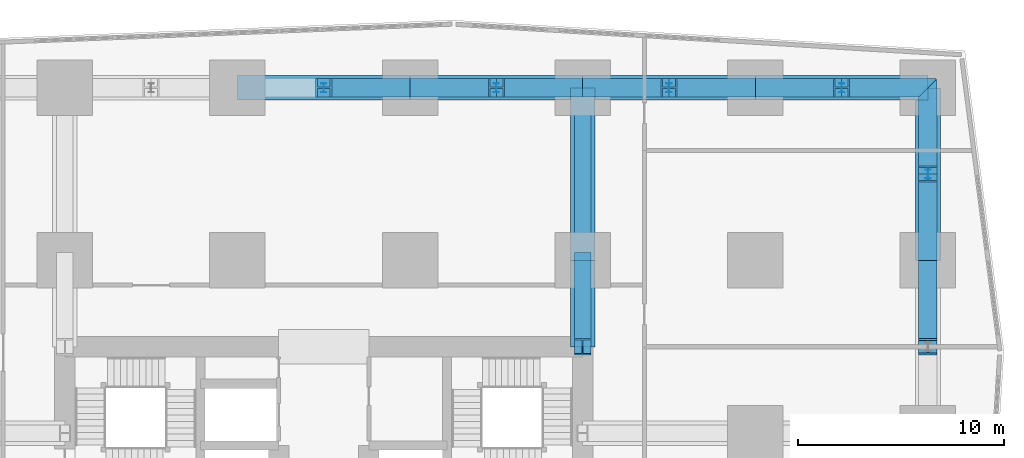
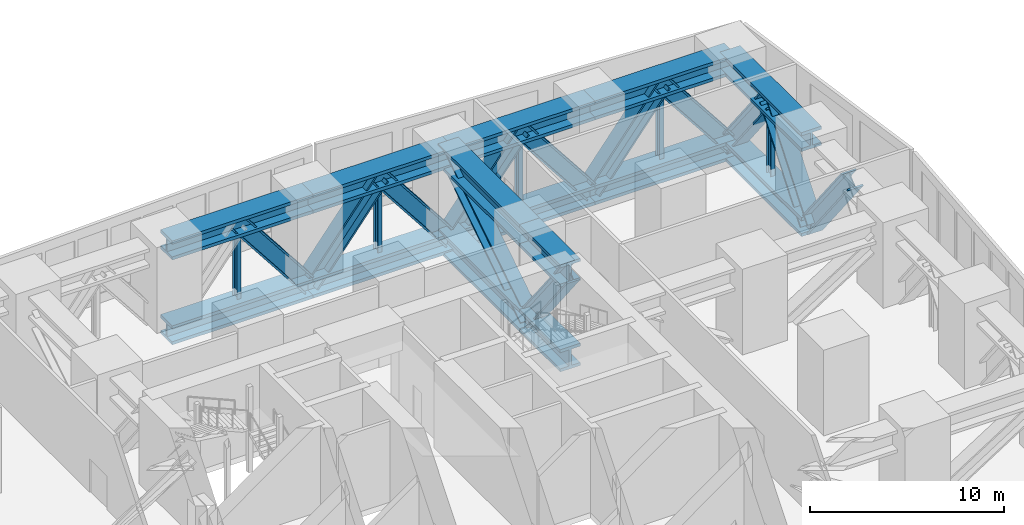
# One storey, part 7 of 16: 31 members.
"""IFC4 building model written with IfcOpenShell, lengths in metres."""

from ifc_helpers import new_model, si_unit, direction, frame, origin, origin_2d, place, context, subcontext, project, spatial, i_section, extrude, material, material_profile, profile_set, type_object, element, save


model = new_model("IFC4")

# Units and contexts
model_context = context("Model", 3, precision=1e-05, world=origin(), true_north=direction((0.0, 1.0)))
body_context = subcontext(model_context, "Body", "Model", "MODEL_VIEW")
ifc_project = project(units=[si_unit("LENGTHUNIT", "METRE"), si_unit("AREAUNIT", "SQUARE_METRE"), si_unit("VOLUMEUNIT", "CUBIC_METRE"), si_unit("PLANEANGLEUNIT", "RADIAN"), si_unit("MASSUNIT", "GRAM", prefix="KILO")], contexts=[model_context])

# Site, building, storey
site_placement = place(None, origin())
site = spatial("IfcSite", under=ifc_project, at=site_placement, CompositionType="ELEMENT")
building_placement = place(site_placement, origin())
building = spatial("IfcBuilding", under=site, at=building_placement, Name="Rekha Terrace Tower", CompositionType="ELEMENT")
storey_placement = place(building_placement, frame((0.0, 0.0, 162.800048828125)))
storey = spatial("IfcBuildingStorey", under=building, at=storey_placement, Name="L41", CompositionType="ELEMENT", Elevation=162.800048828125)

# Members
ifc_material = material(Name="Steel E350", Category="steel")
ifc_material_profile_1 = material_profile(ifc_material, i_section(OverallWidth=1.199951171875, OverallDepth=1.199951171875, WebThickness=0.1298828125, FlangeThickness=0.199951171875, at=origin_2d()), Name="BU 1200x1200x130x200")
ifc_profile_set_1 = profile_set([ifc_material_profile_1], Name="Steel E350")
member_type_1 = type_object("IfcMemberType", Name="BC41 BU 1200x1200x130x200 belt truss chord", PredefinedType="CHORD", material=ifc_profile_set_1)
for number, where, z_axis, x_axis, name in (
    (1, (67.199951171875, 50.39990234375, 4.300048828125), (0.0, 1.0, 0.0), (-1.0, 0.0, 0.0), "Belt top chord 9G-9H L41"),
    (2, (67.199951171875, 50.39990234375, -1.050048828125), (0.0, 1.0, 0.0), (-1.0, 0.0, 0.0), "Belt bottom chord 9G-9H L41"),
):
    element("IfcMember", number, at=place(storey_placement, frame(where, z_axis=z_axis, x_axis=x_axis)), inside=storey, type_object=member_type_1, Name=name, PredefinedType="CHORD", context=body_context, shape_type="SweptSolid", body=[
        extrude(i_section(OverallWidth=1.199951171875, OverallDepth=1.199951171875, WebThickness=0.1298828125, FlangeThickness=0.199951171875, at=origin_2d()), origin(), (0.0, 0.0, 1.0), 8.400146484375),
    ])
for number, where, z_axis, x_axis, name in (
    (3, (67.199951171875, 58.800048828125, 4.300048828125), (-1.0, 0.0, 0.0), (0.0, -1.0, 0.0), "Belt top chord 9H-8H L41"),
    (4, (67.199951171875, 58.800048828125, -1.050048828125), (-1.0, 0.0, 0.0), (0.0, -1.0, 0.0), "Belt bottom chord 9H-8H L41"),
):
    element("IfcMember", number, at=place(storey_placement, frame(where, z_axis=z_axis, x_axis=x_axis)), inside=storey, type_object=member_type_1, Name=name, PredefinedType="CHORD", context=body_context, shape_type="SweptSolid", body=[
        extrude(i_section(OverallWidth=1.199951171875, OverallDepth=1.199951171875, WebThickness=0.1298828125, FlangeThickness=0.199951171875, at=origin_2d()), origin(), (0.0, 0.0, 1.0), 8.39990234375),
    ])
for number, where, z_axis, x_axis, name in (
    (5, (58.800048828125, 58.800048828125, 4.300048828125), (-1.0, 0.0, 0.0), (0.0, -1.0, 0.0), "Belt top chord 8H-7H L41"),
    (6, (58.800048828125, 58.800048828125, -1.050048828125), (-1.0, 0.0, 0.0), (0.0, -1.0, 0.0), "Belt bottom chord 8H-7H L41"),
):
    element("IfcMember", number, at=place(storey_placement, frame(where, z_axis=z_axis, x_axis=x_axis)), inside=storey, type_object=member_type_1, Name=name, PredefinedType="CHORD", context=body_context, shape_type="SweptSolid", body=[
        extrude(i_section(OverallWidth=1.199951171875, OverallDepth=1.199951171875, WebThickness=0.1298828125, FlangeThickness=0.199951171875, at=origin_2d()), origin(), (0.0, 0.0, 1.0), 8.400146484375),
    ])
for number, where, z_axis, x_axis, name in (
    (7, (50.39990234375, 58.800048828125, 4.300048828125), (-1.0, 0.0, 0.0), (0.0, -1.0, 0.0), "Belt top chord 7H-6H L41"),
    (8, (50.39990234375, 58.800048828125, -1.050048828125), (-1.0, 0.0, 0.0), (0.0, -1.0, 0.0), "Belt bottom chord 7H-6H L41"),
    (9, (42.0, 58.800048828125, 4.300048828125), (-1.0, 0.0, 0.0), (0.0, -1.0, 0.0), "Belt top chord 6H-5H L41"),
    (10, (42.0, 58.800048828125, -1.050048828125), (-1.0, 0.0, 0.0), (0.0, -1.0, 0.0), "Belt bottom chord 6H-5H L41"),
):
    element("IfcMember", number, at=place(storey_placement, frame(where, z_axis=z_axis, x_axis=x_axis)), inside=storey, type_object=member_type_1, Name=name, PredefinedType="CHORD", context=body_context, shape_type="SweptSolid", body=[
        extrude(i_section(OverallWidth=1.199951171875, OverallDepth=1.199951171875, WebThickness=0.1298828125, FlangeThickness=0.199951171875, at=origin_2d()), origin(), (0.0, 0.0, 1.0), 8.39990234375),
    ])
ifc_material_profile_2 = material_profile(ifc_material, i_section(OverallWidth=0.89990234375, OverallDepth=1.0, WebThickness=0.06005859375, FlangeThickness=0.10009765625, at=origin_2d()), Name="BU 1000x900x60x100")
ifc_profile_set_2 = profile_set([ifc_material_profile_2], Name="Steel E350")
member_type_2 = type_object("IfcMemberType", Name="BD41 BU 1000x900x60x100 belt truss diagonal", PredefinedType="BRACE", material=ifc_profile_set_2)
for number, where, z_axis, x_axis, name in (
    (11, (67.199951171875, 50.39990234375, -1.050048828125), (0.0, -0.617485427507, 0.786582320432), (1.0, 0.0, 0.0), "Belt diagonal 9F-9G L41"),
    (12, (67.199951171875, 50.39990234375, -1.050048828125), (0.0, 0.617507634842, 0.78656488665), (-1.0, 0.0, 0.0), "Belt diagonal 9G-9H L41"),
    (13, (67.199951171875, 58.800048828125, -1.050048828125), (0.0, -0.617485427507, 0.786582320432), (1.0, 0.0, 0.0), "Belt diagonal 9G-9H L41"),
    (14, (67.199951171875, 58.800048828125, -1.050048828125), (-0.617485427507, 0.0, 0.786582320432), (0.0, -1.0, 0.0), "Belt diagonal 9H-8H L41"),
    (15, (58.800048828125, 58.800048828125, -1.050048828125), (0.617485427507, 0.0, 0.786582320432), (0.0, 1.0, 0.0), "Belt diagonal 9H-8H L41"),
    (16, (58.800048828125, 58.800048828125, -1.050048828125), (-0.617485427507, 0.0, 0.786582320432), (0.0, -1.0, 0.0), "Belt diagonal 8H-7H L41"),
    (17, (50.39990234375, 58.800048828125, -1.050048828125), (0.617507634842, 0.0, 0.78656488665), (0.0, 1.0, 0.0), "Belt diagonal 8H-7H L41"),
    (18, (50.39990234375, 58.800048828125, -1.050048828125), (-0.617485427507, 0.0, 0.786582320432), (0.0, -1.0, 0.0), "Belt diagonal 7H-6H L41"),
    (19, (42.0, 58.800048828125, -1.050048828125), (0.617485427507, 0.0, 0.786582320432), (0.0, 1.0, 0.0), "Belt diagonal 7H-6H L41"),
    (20, (42.0, 58.800048828125, -1.050048828125), (-0.617485427507, 0.0, 0.786582320432), (0.0, -1.0, 0.0), "Belt diagonal 6H-5H L41"),
):
    element("IfcMember", number, at=place(storey_placement, frame(where, z_axis=z_axis, x_axis=x_axis)), inside=storey, type_object=member_type_2, Name=name, PredefinedType="BRACE", context=body_context, shape_type="SweptSolid", body=[
        extrude(i_section(OverallWidth=0.89990234375, OverallDepth=1.0, WebThickness=0.06005859375, FlangeThickness=0.10009765625, at=origin_2d()), origin(), (0.0, 0.0, 1.0), 6.8017578125),
    ])
ifc_material_profile_3 = material_profile(ifc_material, i_section(OverallWidth=0.25, OverallDepth=0.449951171875, WebThickness=0.01123046875, FlangeThickness=0.017333984375, FilletRadius=0.014892578125, at=origin_2d()), Name="ISHB 450")
ifc_profile_set_3 = profile_set([ifc_material_profile_3], Name="Steel E350")
member_type_3 = type_object("IfcMemberType", Name="BV41 ISHB 450 belt truss post", PredefinedType="POST", material=ifc_profile_set_3)
for number, where, z_axis, x_axis, name in (
    (21, (67.199951171875, 54.60009765625, -0.449951171875), (0.0, 0.0, 1.0), (1.0, 0.0, 0.0), "Belt post 9G-9H L41"),
    (22, (63.0, 58.800048828125, -0.449951171875), (0.0, 0.0, 1.0), (1.0, 0.0, 0.0), "Belt post 9H-8H L41"),
    (23, (54.60009765625, 58.800048828125, -0.449951171875), (0.0, 0.0, 1.0), (1.0, 0.0, 0.0), "Belt post 8H-7H L41"),
    (24, (46.199951171875, 58.800048828125, -0.449951171875), (0.0, 0.0, 1.0), (1.0, 0.0, 0.0), "Belt post 7H-6H L41"),
    (25, (37.800048828125, 58.800048828125, -0.449951171875), (0.0, 0.0, 1.0), (1.0, 0.0, 0.0), "Belt post 6H-5H L41"),
):
    element("IfcMember", number, at=place(storey_placement, frame(where, z_axis=z_axis, x_axis=x_axis)), inside=storey, type_object=member_type_3, Name=name, PredefinedType="POST", context=body_context, shape_type="SweptSolid", body=[
        extrude(i_section(OverallWidth=0.25, OverallDepth=0.449951171875, WebThickness=0.01123046875, FlangeThickness=0.017333984375, FilletRadius=0.014892578125, at=origin_2d()), origin(), (0.0, 0.0, 1.0), 4.14990234375),
    ])
ifc_material_profile_4 = material_profile(ifc_material, i_section(OverallWidth=1.199951171875, OverallDepth=1.39990234375, WebThickness=0.139892578125, FlangeThickness=0.18994140625, at=origin_2d()), Name="BU 1400x1200x140x190")
ifc_profile_set_4 = profile_set([ifc_material_profile_4], Name="Steel E350")
member_type_4 = type_object("IfcMemberType", Name="OC41 BU 1400x1200x140x190 outrigger chord", PredefinedType="CHORD", material=ifc_profile_set_4)
for number, where, z_axis, x_axis, name in (
    (26, (50.39990234375, 46.199951171875, 4.300048828125), (0.0, 1.0, 0.0), (-1.0, 0.0, 0.0), "Outrigger top chord N7-1 L41"),
    (27, (50.39990234375, 46.199951171875, -1.050048828125), (0.0, 1.0, 0.0), (-1.0, 0.0, 0.0), "Outrigger bottom chord N7-1 L41"),
):
    element("IfcMember", number, at=place(storey_placement, frame(where, z_axis=z_axis, x_axis=x_axis)), inside=storey, type_object=member_type_4, Name=name, PredefinedType="CHORD", context=body_context, shape_type="SweptSolid", body=[
        extrude(i_section(OverallWidth=1.199951171875, OverallDepth=1.39990234375, WebThickness=0.139892578125, FlangeThickness=0.18994140625, at=origin_2d()), origin(), (0.0, 0.0, 1.0), 4.199951171875),
    ])
for number, where, z_axis, x_axis, name in (
    (28, (50.39990234375, 50.39990234375, 4.300048828125), (0.0, 1.0, 0.0), (-1.0, 0.0, 0.0), "Outrigger top chord N7-2 L41"),
    (29, (50.39990234375, 50.39990234375, -1.050048828125), (0.0, 1.0, 0.0), (-1.0, 0.0, 0.0), "Outrigger bottom chord N7-2 L41"),
):
    element("IfcMember", number, at=place(storey_placement, frame(where, z_axis=z_axis, x_axis=x_axis)), inside=storey, type_object=member_type_4, Name=name, PredefinedType="CHORD", context=body_context, shape_type="SweptSolid", body=[
        extrude(i_section(OverallWidth=1.199951171875, OverallDepth=1.39990234375, WebThickness=0.139892578125, FlangeThickness=0.18994140625, at=origin_2d()), origin(), (0.0, 0.0, 1.0), 8.400146484375),
    ])
ifc_material_profile_5 = material_profile(ifc_material, i_section(OverallWidth=0.800048828125, OverallDepth=1.0, WebThickness=0.050048828125, FlangeThickness=0.090087890625, at=origin_2d()), Name="BU 1000x800x50x90")
ifc_profile_set_5 = profile_set([ifc_material_profile_5], Name="Steel E350")
member_type_5 = type_object("IfcMemberType", Name="OD41 BU 1000x800x50x90 outrigger diagonal", PredefinedType="BRACE", material=ifc_profile_set_5)
member_1_placement = place(storey_placement, frame((50.39990234375, 46.199951171875, 4.300048828125), z_axis=(0.0, 0.617485427507, -0.786582320432), x_axis=(-1.0, 0.0, 0.0)))
element("IfcMember", 30, at=member_1_placement, inside=storey, type_object=member_type_5, Name="Outrigger diagonal N7-1 L41", PredefinedType="BRACE", context=body_context, shape_type="SweptSolid", body=[
    extrude(i_section(OverallWidth=0.800048828125, OverallDepth=1.0, WebThickness=0.050048828125, FlangeThickness=0.090087890625, at=origin_2d()), origin(), (0.0, 0.0, 1.0), 6.8017578125),
])
member_2_placement = place(storey_placement, frame((50.39990234375, 50.39990234375, -1.050048828125), z_axis=(0.0, 0.843454497748, 0.537200623816), x_axis=(-1.0, 0.0, 0.0)))
element("IfcMember", 31, at=member_2_placement, inside=storey, type_object=member_type_5, Name="Outrigger diagonal N7-2 L41", PredefinedType="BRACE", context=body_context, shape_type="SweptSolid", body=[
    extrude(i_section(OverallWidth=0.800048828125, OverallDepth=1.0, WebThickness=0.050048828125, FlangeThickness=0.090087890625, at=origin_2d()), origin(), (0.0, 0.0, 1.0), 9.959228515625),
])

save(model, "model.ifc")
